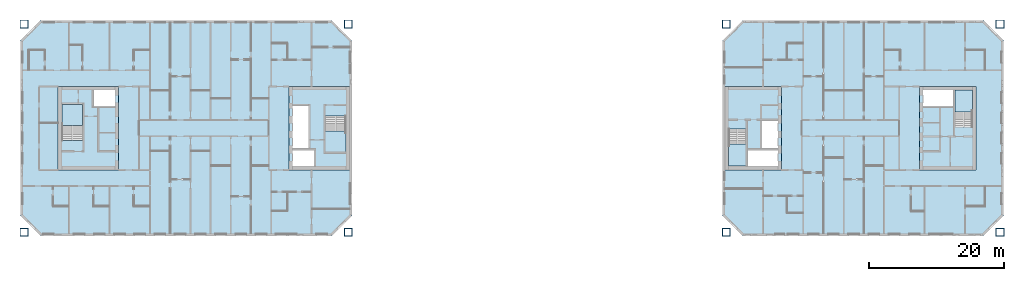
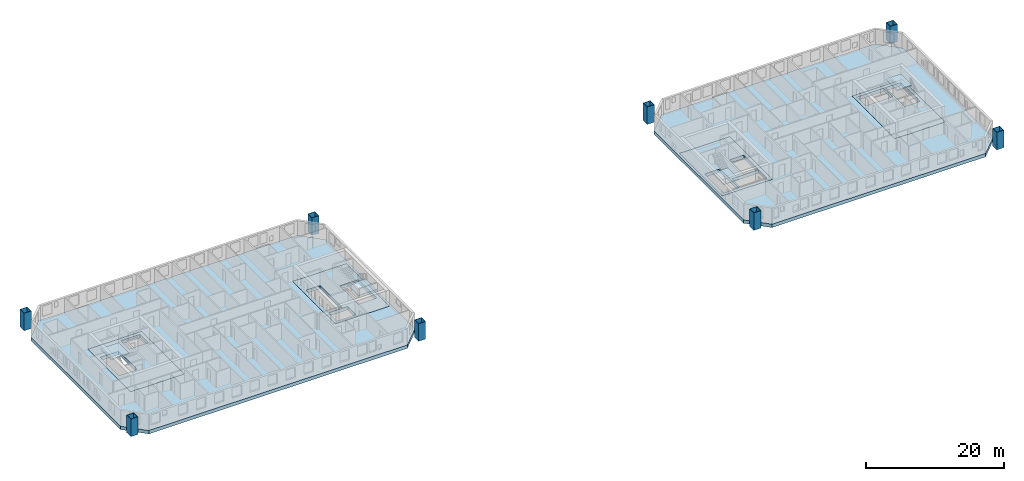
# One storey, part 1 of 17: 10 slabs, 8 columns, 4 elements without a shape of their own.
"""IFC4 building model written with IfcOpenShell, lengths in metres."""

from ifc_helpers import new_model, si_unit, direction, frame, origin, origin_2d, place, context, subcontext, project, spatial, polyline, hollow_rectangle, outline, extrude, material, layer, layer_set, material_profile, profile_set, type_object, element, aggregate, save


model = new_model("IFC4")

# Units and contexts
model_context = context("Model", 3, precision=1e-05, world=origin(), true_north=direction((0.0, 1.0)))
body_context = subcontext(model_context, "Body", "Model", "MODEL_VIEW")
ifc_project = project(units=[si_unit("LENGTHUNIT", "METRE"), si_unit("AREAUNIT", "SQUARE_METRE"), si_unit("VOLUMEUNIT", "CUBIC_METRE"), si_unit("PLANEANGLEUNIT", "RADIAN"), si_unit("MASSUNIT", "GRAM", prefix="KILO")], contexts=[model_context])

# Site, building, storey
site_placement = place(None, origin())
site = spatial("IfcSite", under=ifc_project, at=site_placement, CompositionType="ELEMENT")
building_placement = place(site_placement, origin())
building = spatial("IfcBuilding", under=site, at=building_placement, Name="Tuart Gate Housing", CompositionType="ELEMENT")
storey_placement = place(building_placement, frame((0.0, 0.0, 123.699951171875)))
storey = spatial("IfcBuildingStorey", under=building, at=storey_placement, Name="L34", CompositionType="ELEMENT", Elevation=123.699951171875)

# Columns
ifc_material_1 = material(Name="Steel Grade 350", Category="steel")
ifc_material_profile = material_profile(ifc_material_1, hollow_rectangle(XDim=1.199951171875, YDim=1.199951171875, WallThickness=0.06494140625, at=origin_2d()), Name="BOX 1200x1200x65")
ifc_profile_set = profile_set([ifc_material_profile], Name="Steel Grade 350")
column_type = type_object("IfcColumnType", Name="Mega column BOX 1200x1200x65", PredefinedType="COLUMN", material=ifc_profile_set)
for number, where, z_axis, x_axis, name in (
    (1, (27.300048828125, 54.550048828125, 0.0), (0.0, 0.0, 1.0), (1.0, 0.0, 0.0), "Mega column A south-west L34"),
    (2, (75.449951171875, 54.550048828125, 0.0), (0.0, 0.0, 1.0), (1.0, 0.0, 0.0), "Mega column A south-east L34"),
    (3, (75.449951171875, 85.449951171875, 0.0), (0.0, 0.0, 1.0), (1.0, 0.0, 0.0), "Mega column A north-east L34"),
    (4, (27.300048828125, 85.449951171875, 0.0), (0.0, 0.0, 1.0), (1.0, 0.0, 0.0), "Mega column A north-west L34"),
    (5, (131.550048828125, 54.550048828125, 0.0), (0.0, 0.0, 1.0), (1.0, 0.0, 0.0), "Mega column B south-west L34"),
    (6, (172.199951171875, 54.550048828125, 0.0), (0.0, 0.0, 1.0), (1.0, 0.0, 0.0), "Mega column B south-east L34"),
    (7, (172.199951171875, 85.449951171875, 0.0), (0.0, 0.0, 1.0), (1.0, 0.0, 0.0), "Mega column B north-east L34"),
    (8, (131.550048828125, 85.449951171875, 0.0), (0.0, 0.0, 1.0), (1.0, 0.0, 0.0), "Mega column B north-west L34"),
):
    element("IfcColumn", number, at=place(storey_placement, frame(where, z_axis=z_axis, x_axis=x_axis)), inside=storey, type_object=column_type, Name=name, PredefinedType="COLUMN", context=body_context, shape_type="SweptSolid", body=[
        extrude(hollow_rectangle(XDim=1.199951171875, YDim=1.199951171875, WallThickness=0.06494140625, at=origin_2d()), origin(), (0.0, 0.0, 1.0), 3.10009765625),
    ])

# Slabs
ifc_material_2 = material(Name="Concrete C40", Category="concrete")
ifc_layer_1 = layer(ifc_material_2, 0.60009765625)
ifc_layer_set_1 = layer_set([ifc_layer_1], Name="Core floor slab 600")
slab_type_1 = type_object("IfcSlabType", Name="Core floor slab 600", PredefinedType="FLOOR", material=ifc_layer_set_1)
slab_1_placement = place(storey_placement, frame((0.0, 0.0, -0.599853515625)))
element("IfcSlab", 9, at=slab_1_placement, inside=storey, type_object=slab_type_1, Name="Core floor AG", PredefinedType="FLOOR", context=body_context, shape_type="SweptSolid", body=[
    extrude(outline(polyline([(66.639892578125, 63.800048828125), (75.639892578125, 63.800048828125), (75.639892578125, 76.199951171875), (66.639892578125, 76.199951171875), (66.639892578125, 63.800048828125)]), holes=[polyline([(67.18994140625, 64.35009765625), (70.385009765625, 64.35009765625), (70.385009765625, 66.72509765625), (67.18994140625, 66.72509765625), (67.18994140625, 64.35009765625)]), polyline([(67.18994140625, 66.97509765625), (69.56494140625, 66.97509765625), (69.56494140625, 73.324951171875), (67.18994140625, 73.324951171875), (67.18994140625, 66.97509765625)]), polyline([(72.014892578125, 66.47509765625), (75.090087890625, 66.47509765625), (75.090087890625, 71.804931640625), (72.014892578125, 71.804931640625), (72.014892578125, 66.47509765625)])]), origin(), (0.0, 0.0, 1.0), 0.599853515625),
])
slab_2_placement = place(storey_placement, frame((0.0, 0.0, -0.599853515625)))
element("IfcSlab", 10, at=slab_2_placement, inside=storey, type_object=slab_type_1, Name="Core floor AK", PredefinedType="FLOOR", context=body_context, shape_type="SweptSolid", body=[
    extrude(outline(polyline([(32.360107421875, 63.800048828125), (41.360107421875, 63.800048828125), (41.360107421875, 76.199951171875), (32.360107421875, 76.199951171875), (32.360107421875, 63.800048828125)]), holes=[polyline([(40.81005859375, 75.64990234375), (37.614990234375, 75.64990234375), (37.614990234375, 73.27490234375), (40.81005859375, 73.27490234375), (40.81005859375, 75.64990234375)]), polyline([(35.985107421875, 73.52490234375), (32.909912109375, 73.52490234375), (32.909912109375, 68.195068359375), (35.985107421875, 68.195068359375), (35.985107421875, 73.52490234375)])]), origin(), (0.0, 0.0, 1.0), 0.599853515625),
])
slab_3_placement = place(storey_placement, frame((0.0, 0.0, -0.599853515625)))
element("IfcSlab", 11, at=slab_3_placement, inside=storey, type_object=slab_type_1, Name="Core floor BG", PredefinedType="FLOOR", context=body_context, shape_type="SweptSolid", body=[
    extrude(outline(polyline([(131.360107421875, 63.800048828125), (139.760009765625, 63.800048828125), (139.760009765625, 76.199951171875), (131.360107421875, 76.199951171875), (131.360107421875, 63.800048828125)]), holes=[polyline([(139.2099609375, 66.85009765625), (134.735107421875, 66.85009765625), (134.735107421875, 64.35009765625), (139.2099609375, 64.35009765625), (139.2099609375, 66.85009765625)]), polyline([(139.2099609375, 71.125), (136.8349609375, 71.125), (136.8349609375, 66.97509765625), (139.2099609375, 66.97509765625), (139.2099609375, 71.125)]), polyline([(134.485107421875, 69.85498046875), (131.909912109375, 69.85498046875), (131.909912109375, 64.35009765625), (134.485107421875, 64.35009765625), (134.485107421875, 69.85498046875)])]), origin(), (0.0, 0.0, 1.0), 0.599853515625),
])
slab_4_placement = place(storey_placement, frame((0.0, 0.0, -0.599853515625)))
element("IfcSlab", 12, at=slab_4_placement, inside=storey, type_object=slab_type_1, Name="Core floor BK", PredefinedType="FLOOR", context=body_context, shape_type="SweptSolid", body=[
    extrude(outline(polyline([(160.239990234375, 63.800048828125), (168.639892578125, 63.800048828125), (168.639892578125, 76.199951171875), (160.239990234375, 76.199951171875), (160.239990234375, 63.800048828125)]), holes=[polyline([(160.7900390625, 73.14990234375), (165.264892578125, 73.14990234375), (165.264892578125, 75.64990234375), (160.7900390625, 75.64990234375), (160.7900390625, 73.14990234375)]), polyline([(165.514892578125, 70.14501953125), (168.090087890625, 70.14501953125), (168.090087890625, 75.64990234375), (165.514892578125, 75.64990234375), (165.514892578125, 70.14501953125)])]), origin(), (0.0, 0.0, 1.0), 0.599853515625),
])

# Stair, slab
ifc_material_3 = material(Name="Concrete C40", Category="concrete")
stair_type_1 = type_object("IfcStairType", Name="Core stair 1500", PredefinedType="HALF_TURN_STAIR", material=ifc_material_3)
stair_1_placement = place(storey_placement, origin())
stair_1 = element("IfcStair", 13, at=stair_1_placement, inside=storey, type_object=stair_type_1, Name="Stair SA1", PredefinedType="HALF_TURN_STAIR")
ifc_material_4 = material(Name="Concrete C40", Category="concrete")
ifc_layer_2 = layer(ifc_material_4, 0.199951171875)
ifc_layer_set_2 = layer_set([ifc_layer_2], Name="Stair landing 200")
slab_type_2 = type_object("IfcSlabType", Name="Stair landing 200", PredefinedType="LANDING", material=ifc_layer_set_2)
slab_5_placement = place(storey_placement, frame((0.0, 0.0, 1.35009765625)))
slab_5 = element("IfcSlab", 14, at=slab_5_placement, type_object=slab_type_2, Name="SA1 landing 1", PredefinedType="LANDING", context=body_context, shape_type="SweptSolid", body=[
    extrude(outline(polyline([(72.014892578125, 66.47509765625), (75.090087890625, 66.47509765625), (75.090087890625, 69.5849609375), (72.014892578125, 69.5849609375), (72.014892578125, 66.47509765625)])), origin(), (0.0, 0.0, 1.0), 0.199951171875),
])
aggregate(stair_1, [slab_5])

stair_2_placement = place(storey_placement, origin())
stair_2 = element("IfcStair", 15, at=stair_2_placement, inside=storey, type_object=stair_type_1, Name="Stair SA2", PredefinedType="HALF_TURN_STAIR")
slab_6_placement = place(storey_placement, frame((0.0, 0.0, 1.35009765625)))
slab_6 = element("IfcSlab", 16, at=slab_6_placement, type_object=slab_type_2, Name="SA2 landing 1", PredefinedType="LANDING", context=body_context, shape_type="SweptSolid", body=[
    extrude(outline(polyline([(35.985107421875, 73.52490234375), (32.909912109375, 73.52490234375), (32.909912109375, 70.4150390625), (35.985107421875, 70.4150390625), (35.985107421875, 73.52490234375)])), origin(), (0.0, 0.0, 1.0), 0.199951171875),
])
aggregate(stair_2, [slab_6])

ifc_material_5 = material(Name="Concrete C40", Category="concrete")
stair_type_2 = type_object("IfcStairType", Name="Core stair 1250", PredefinedType="HALF_TURN_STAIR", material=ifc_material_5)
stair_3_placement = place(storey_placement, origin())
stair_3 = element("IfcStair", 17, at=stair_3_placement, inside=storey, type_object=stair_type_2, Name="Stair SB1", PredefinedType="HALF_TURN_STAIR")
slab_7_placement = place(storey_placement, frame((0.0, 0.0, 1.35009765625)))
slab_7 = element("IfcSlab", 18, at=slab_7_placement, type_object=slab_type_2, Name="SB1 landing 1", PredefinedType="LANDING", context=body_context, shape_type="SweptSolid", body=[
    extrude(outline(polyline([(134.485107421875, 67.635009765625), (131.909912109375, 67.635009765625), (131.909912109375, 64.35009765625), (134.485107421875, 64.35009765625), (134.485107421875, 67.635009765625)])), origin(), (0.0, 0.0, 1.0), 0.199951171875),
])
aggregate(stair_3, [slab_7])

stair_4_placement = place(storey_placement, origin())
stair_4 = element("IfcStair", 19, at=stair_4_placement, inside=storey, type_object=stair_type_2, Name="Stair SB2", PredefinedType="HALF_TURN_STAIR")
slab_8_placement = place(storey_placement, frame((0.0, 0.0, 1.35009765625)))
slab_8 = element("IfcSlab", 20, at=slab_8_placement, type_object=slab_type_2, Name="SB2 landing 1", PredefinedType="LANDING", context=body_context, shape_type="SweptSolid", body=[
    extrude(outline(polyline([(165.514892578125, 72.364990234375), (168.090087890625, 72.364990234375), (168.090087890625, 75.64990234375), (165.514892578125, 75.64990234375), (165.514892578125, 72.364990234375)])), origin(), (0.0, 0.0, 1.0), 0.199951171875),
])
aggregate(stair_4, [slab_8])

# Slabs
ifc_material_6 = material(Name="Concrete C40", Category="concrete")
ifc_layer_3 = layer(ifc_material_6, 0.60009765625)
ifc_layer_set_3 = layer_set([ifc_layer_3], Name="Transfer plate 600")
slab_type_3 = type_object("IfcSlabType", Name="Transfer plate 600", PredefinedType="FLOOR", material=ifc_layer_set_3)
slab_9_placement = place(storey_placement, frame((0.0, 0.0, -0.599853515625)))
element("IfcSlab", 21, at=slab_9_placement, inside=storey, type_object=slab_type_3, Name="Floor slab A L34", PredefinedType="FLOOR", context=body_context, shape_type="SweptSolid", body=[
    extrude(outline(polyline([(29.75, 86.0), (26.75, 83.0), (26.75, 57.0), (29.75, 54.0), (73.0, 54.0), (76.0, 57.0), (76.0, 83.0), (73.0, 86.0), (29.75, 86.0)]), holes=[polyline([(66.639892578125, 76.199951171875), (75.639892578125, 76.199951171875), (75.639892578125, 63.800048828125), (66.639892578125, 63.800048828125), (66.639892578125, 76.199951171875)]), polyline([(41.360107421875, 76.199951171875), (41.360107421875, 63.800048828125), (32.360107421875, 63.800048828125), (32.360107421875, 76.199951171875), (41.360107421875, 76.199951171875)])]), origin(), (0.0, 0.0, 1.0), 0.599853515625),
])
slab_10_placement = place(storey_placement, frame((0.0, 0.0, -0.599853515625)))
element("IfcSlab", 22, at=slab_10_placement, inside=storey, type_object=slab_type_3, Name="Floor slab B L34", PredefinedType="FLOOR", context=body_context, shape_type="SweptSolid", body=[
    extrude(outline(polyline([(134.0, 86.0), (131.0, 83.0), (131.0, 57.0), (134.0, 54.0), (169.75, 54.0), (172.75, 57.0), (172.75, 83.0), (169.75, 86.0), (134.0, 86.0)]), holes=[polyline([(131.360107421875, 76.199951171875), (139.760009765625, 76.199951171875), (139.760009765625, 63.800048828125), (131.360107421875, 63.800048828125), (131.360107421875, 76.199951171875)]), polyline([(168.639892578125, 76.199951171875), (168.639892578125, 63.800048828125), (160.239990234375, 63.800048828125), (160.239990234375, 76.199951171875), (168.639892578125, 76.199951171875)])]), origin(), (0.0, 0.0, 1.0), 0.599853515625),
])

save(model, "model.ifc")
